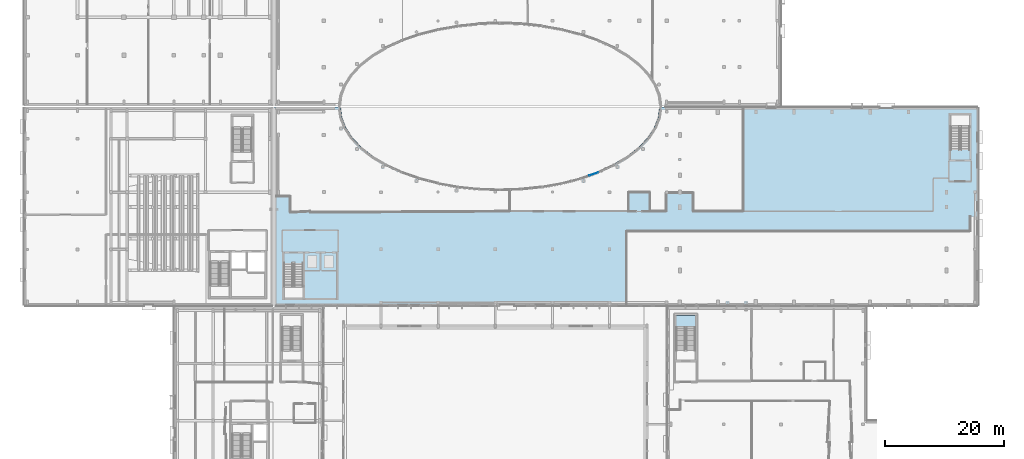
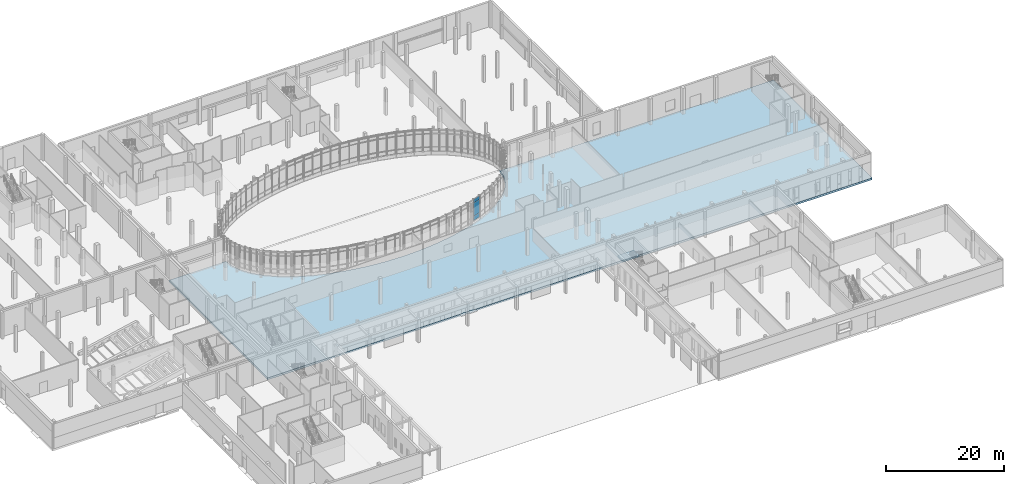
# One storey, part 30 of 84: 3 plates, 2 slabs, 2 elements without a shape of their own.
"""IFC4 building model written with IfcOpenShell, lengths in metres."""

from ifc_helpers import new_model, si_unit, direction, frame, origin, origin_2d, place, context, subcontext, project, spatial, polyline, rectangle, outline, extrude, material, layer, layer_set, type_object, element, aggregate, save


model = new_model("IFC4")

# Units and contexts
model_context = context("Model", 3, precision=1e-05, world=origin(), true_north=direction((0.0, 1.0)))
body_context = subcontext(model_context, "Body", "Model", "MODEL_VIEW")
ifc_project = project(units=[si_unit("LENGTHUNIT", "METRE"), si_unit("AREAUNIT", "SQUARE_METRE"), si_unit("VOLUMEUNIT", "CUBIC_METRE"), si_unit("PLANEANGLEUNIT", "RADIAN"), si_unit("MASSUNIT", "GRAM", prefix="KILO")], contexts=[model_context])

# Site, building, storey
site_placement = place(None, origin())
site = spatial("IfcSite", under=ifc_project, at=site_placement, CompositionType="ELEMENT")
building_placement = place(site_placement, origin())
building = spatial("IfcBuilding", under=site, at=building_placement, Name="Mzevani Central Library", CompositionType="ELEMENT")
storey_placement = place(building_placement, origin())
storey = spatial("IfcBuildingStorey", under=building, at=storey_placement, Name="L00", CompositionType="ELEMENT", Elevation=0.0)

# Curtain wall, plates
ifc_material_1 = material(Name="Thermally broken aluminium and Low-E triple glazing", Category="aluminium")
curtain_wall_type = type_object("IfcCurtainWallType", Name="Elliptical Court Unitised Curtain Wall", PredefinedType="NOTDEFINED", material=ifc_material_1)
curtain_wall_placement = place(storey_placement, origin())
curtain_wall = element("IfcCurtainWall", 1, at=curtain_wall_placement, inside=storey, type_object=curtain_wall_type, Name="L00 Elliptical Court Curtain Wall 41", PredefinedType="NOTDEFINED")
ifc_material_2 = material(Name="Thermally broken aluminium AW-6060", Category="aluminium")
ifc_layer_1 = layer(ifc_material_2, 0.0419921875, Name="CW Insulated Spandrel Panel 42")
ifc_layer_set_1 = layer_set([ifc_layer_1], Name="Thermally broken aluminium AW-6060")
plate_type_1 = type_object("IfcPlateType", Name="CW Insulated Spandrel Panel 42", PredefinedType="CURTAIN_PANEL", material=ifc_layer_set_1)
plate_1_placement = place(storey_placement, frame((99.76025390625, 64.65673828125, 0.719970703125), z_axis=(0.0, 0.0, 1.0), x_axis=(0.945503232512, 0.325612710609, 0.0)))
plate_1 = element("IfcPlate", 2, at=plate_1_placement, type_object=plate_type_1, Name="L00 Elliptical Court Curtain Wall 41 Spandrel Panel 4", PredefinedType="CURTAIN_PANEL", context=body_context, shape_type="SweptSolid", body=[
    extrude(rectangle(XDim=1.54150390625, YDim=0.0419921875, at=origin_2d()), origin(), (0.0, 0.0, 1.0), 0.89990234375),
])
ifc_material_3 = material(Name="Low-E triple glazing glass", Category="glass")
ifc_layer_2 = layer(ifc_material_3, 0.028076171875, Name="CW Triple Glazed Vision Panel 28")
ifc_layer_set_2 = layer_set([ifc_layer_2], Name="Low-E triple glazing glass")
plate_type_2 = type_object("IfcPlateType", Name="CW Triple Glazed Vision Panel 28", PredefinedType="CURTAIN_PANEL", material=ifc_layer_set_2)
plate_2_placement = place(storey_placement, frame((99.76025390625, 64.65673828125, 1.6201171875), z_axis=(0.0, 0.0, 1.0), x_axis=(0.945503232512, 0.325612710609, 0.0)))
plate_2 = element("IfcPlate", 3, at=plate_2_placement, type_object=plate_type_2, Name="L00 Elliptical Court Curtain Wall 41 Vision Panel 5", PredefinedType="CURTAIN_PANEL", context=body_context, shape_type="SweptSolid", body=[
    extrude(rectangle(XDim=1.54150390625, YDim=0.028076171875, at=origin_2d()), origin(), (0.0, 0.0, 1.0), 2.75),
])
plate_3_placement = place(storey_placement, frame((99.76025390625, 64.65673828125, 4.3701171875), z_axis=(0.0, 0.0, 1.0), x_axis=(0.945503232512, 0.325612710609, 0.0)))
plate_3 = element("IfcPlate", 4, at=plate_3_placement, type_object=plate_type_2, Name="L00 Elliptical Court Curtain Wall 41 Vision Panel 6", PredefinedType="CURTAIN_PANEL", context=body_context, shape_type="SweptSolid", body=[
    extrude(rectangle(XDim=1.54150390625, YDim=0.028076171875, at=origin_2d()), origin(), (0.0, 0.0, 1.0), 0.75),
])
aggregate(curtain_wall, [plate_1, plate_2, plate_3])

# Slab
ifc_material_4 = material(Name="Concrete C35/45", Category="concrete")
ifc_layer_3 = layer(ifc_material_4, 0.39990234375, Name="Ground Plinth Base Slab 400")
ifc_layer_set_3 = layer_set([ifc_layer_3], Name="Concrete C35/45")
slab_type_1 = type_object("IfcSlabType", Name="Ground Plinth Base Slab 400", PredefinedType="BASESLAB", material=ifc_layer_set_3)
slab_1_placement = place(storey_placement, frame((0.0, 0.0, -0.39990234375)))
element("IfcSlab", 5, at=slab_1_placement, inside=storey, type_object=slab_type_1, Name="L00 V1 Structural Slab GS-01", PredefinedType="BASESLAB", context=body_context, shape_type="SweptSolid", body=[
    extrude(outline(polyline([(164.39990234375, 75.89990234375), (164.39990234375, 42.5), (46.10009765625, 42.5), (46.10009765625, 75.89990234375), (57.212646484375, 75.89990234375), (57.42919921875, 74.197021484375), (58.11328125, 72.425048828125), (59.239990234375, 70.71435546875), (60.79052734375, 69.09375), (62.738037109375, 67.591552734375), (65.049560546875, 66.233154296875), (67.685302734375, 65.0419921875), (70.60009765625, 64.0380859375), (73.744140625, 63.239013671875), (77.063720703125, 62.658203125), (80.501953125, 62.305908203125), (84.0, 62.187744140625), (87.498046875, 62.305908203125), (90.936279296875, 62.658203125), (94.255859375, 63.239013671875), (97.39990234375, 64.0380859375), (100.314697265625, 65.0419921875), (102.950439453125, 66.233154296875), (105.261962890625, 67.591552734375), (107.20947265625, 69.09375), (108.760009765625, 70.71435546875), (109.88671875, 72.425048828125), (110.57080078125, 74.197021484375), (110.787353515625, 75.89990234375), (164.39990234375, 75.89990234375)])), origin(), (0.0, 0.0, 1.0), 0.39990234375),
])

# Stair, slab
stair_type = type_object("IfcStairType", Name="Dogleg Exit Stair 180x280", PredefinedType="HALF_TURN_STAIR", material=ifc_material_4)
stair_placement = place(storey_placement, origin())
stair = element("IfcStair", 6, at=stair_placement, inside=storey, type_object=stair_type, Name="L00 Core C6A Children's Pavilion North Stair Exit Stair ST-01", PredefinedType="HALF_TURN_STAIR")
ifc_layer_4 = layer(ifc_material_4, 0.199951171875, Name="Stair Landing Slab 200")
ifc_layer_set_4 = layer_set([ifc_layer_4], Name="Concrete C35/45")
slab_type_2 = type_object("IfcSlabType", Name="Stair Landing Slab 200", PredefinedType="LANDING", material=ifc_layer_set_4)
slab_2_placement = place(storey_placement, frame((0.0, 0.0, 2.5)))
slab_2 = element("IfcSlab", 7, at=slab_2_placement, type_object=slab_type_2, Name="ST-11 landing 1", PredefinedType="LANDING", context=body_context, shape_type="SweptSolid", body=[
    extrude(outline(polyline([(116.800048828125, 38.919921875), (116.800048828125, 40.89990234375), (113.60009765625, 40.89990234375), (113.60009765625, 38.919921875), (116.800048828125, 38.919921875)])), origin(), (0.0, 0.0, 1.0), 0.199951171875),
])
aggregate(stair, [slab_2])

save(model, "model.ifc")
